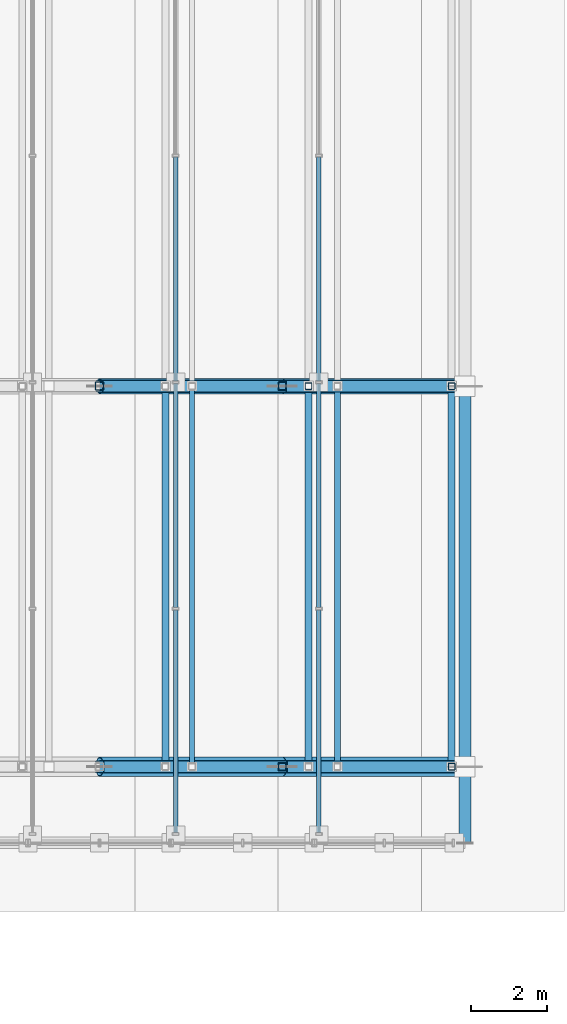
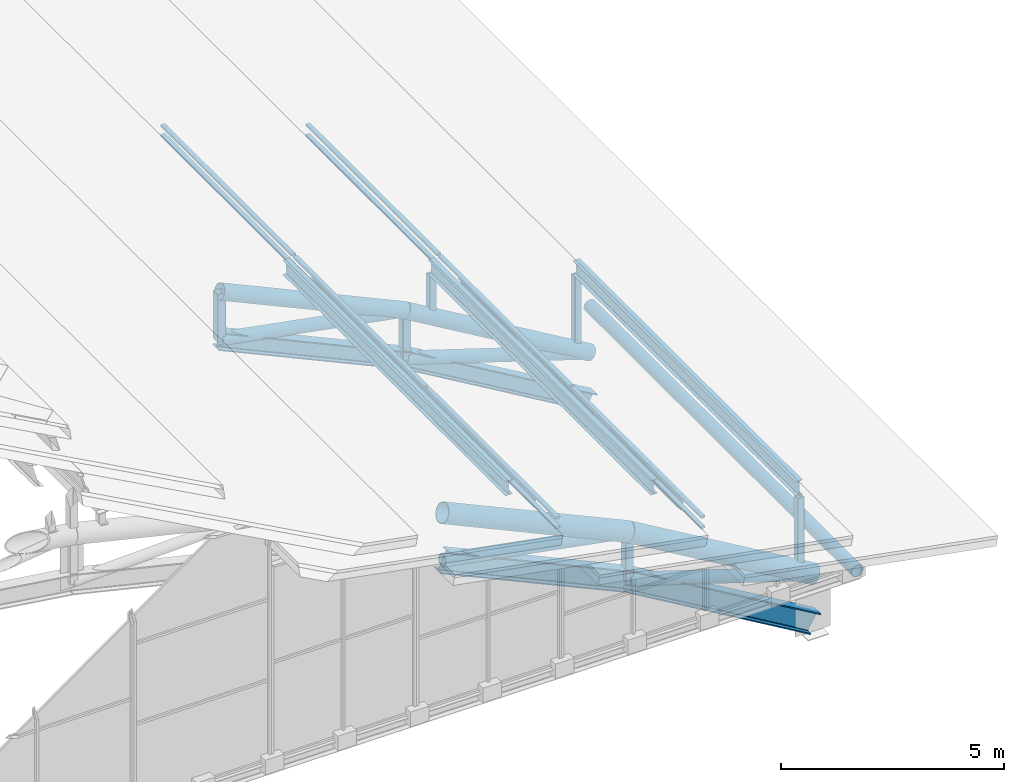
# One storey, part 11 of 117: 35 members, 1 beam, 2 elements without a shape of their own.
"""IFC4 building model written with IfcOpenShell, lengths in metres."""

from ifc_helpers import new_model, si_unit, direction, frame, origin, origin_2d, place, context, subcontext, project, spatial, hollow_rectangle, hollow_circle, i_section, extrude, material, material_profile, profile_set, type_object, element, aggregate, save


model = new_model("IFC4")

# Units and contexts
model_context = context("Model", 3, precision=1e-05, world=origin(), true_north=direction((0.0, 1.0)))
body_context = subcontext(model_context, "Body", "Model", "MODEL_VIEW")
ifc_project = project(units=[si_unit("LENGTHUNIT", "METRE"), si_unit("AREAUNIT", "SQUARE_METRE"), si_unit("VOLUMEUNIT", "CUBIC_METRE"), si_unit("PLANEANGLEUNIT", "RADIAN"), si_unit("MASSUNIT", "GRAM", prefix="KILO")], contexts=[model_context])

# Site, building, storey
site_placement = place(None, origin())
site = spatial("IfcSite", under=ifc_project, at=site_placement, CompositionType="ELEMENT")
building_placement = place(site_placement, origin())
building = spatial("IfcBuilding", under=site, at=building_placement, Name="Merenkruunu Market Hall", CompositionType="ELEMENT")
storey_placement = place(building_placement, frame((0.0, 0.0, 22.800048828125)))
storey = spatial("IfcBuildingStorey", under=building, at=storey_placement, Name="RF", CompositionType="ELEMENT", Elevation=22.800048828125)

# Members
ifc_material_1 = material(Name="Steel S355ML", Category="steel")
ifc_material_profile_1 = material_profile(ifc_material_1, hollow_circle(Radius=0.25390625, WallThickness=0.02001953125, at=origin_2d()), Name="CHS 508x20")
ifc_profile_set_1 = profile_set([ifc_material_profile_1], Name="Steel S355ML")
member_type_1 = type_object("IfcMemberType", Name="Arch Truss Chord TC01", PredefinedType="CHORD", material=ifc_profile_set_1)
member_1_placement = place(storey_placement, frame((48.0, 17.60009765625, -5.12109375), z_axis=(0.909419998666, 0.0, -0.415878907889), x_axis=(0.0, 1.0, 0.0)))
element("IfcMember", 1, at=member_1_placement, inside=storey, type_object=member_type_1, Name="TRUSS-AT-1-TOP-11", PredefinedType="CHORD", context=body_context, shape_type="SweptSolid", body=[
    extrude(hollow_circle(Radius=0.25390625, WallThickness=0.02001953125, at=origin_2d()), origin(), (0.0, 0.0, 1.0), 5.278076171875),
])
member_2_placement = place(storey_placement, frame((52.800048828125, 17.60009765625, -7.316162109375), z_axis=(0.861115679414, 0.0, -0.508409074139), x_axis=(0.0, 1.0, 0.0)))
element("IfcMember", 2, at=member_2_placement, inside=storey, type_object=member_type_1, Name="TRUSS-AT-1-TOP-12", PredefinedType="CHORD", context=body_context, shape_type="SweptSolid", body=[
    extrude(hollow_circle(Radius=0.25390625, WallThickness=0.02001953125, at=origin_2d()), origin(), (0.0, 0.0, 1.0), 5.57421875),
])
ifc_material_profile_2 = material_profile(ifc_material_1, hollow_circle(Radius=0.203125, WallThickness=0.01611328125, at=origin_2d()), Name="CHS 406.4x16")
ifc_profile_set_2 = profile_set([ifc_material_profile_2], Name="Steel S355ML")
member_type_2 = type_object("IfcMemberType", Name="Arch Truss Chord TC02", PredefinedType="CHORD", material=ifc_profile_set_2)
member_3_placement = place(storey_placement, frame((48.0, 27.60009765625, -5.12109375), z_axis=(0.909419998666, 0.0, -0.415878907889), x_axis=(0.0, 1.0, 0.0)))
element("IfcMember", 3, at=member_3_placement, inside=storey, type_object=member_type_2, Name="TRUSS-AT-2-TOP-11", PredefinedType="CHORD", context=body_context, shape_type="SweptSolid", body=[
    extrude(hollow_circle(Radius=0.203125, WallThickness=0.01611328125, at=origin_2d()), origin(), (0.0, 0.0, 1.0), 5.278076171875),
])
member_4_placement = place(storey_placement, frame((52.800048828125, 27.60009765625, -7.316162109375), z_axis=(0.861115679414, 0.0, -0.508409074139), x_axis=(0.0, 1.0, 0.0)))
element("IfcMember", 4, at=member_4_placement, inside=storey, type_object=member_type_2, Name="TRUSS-AT-2-TOP-12", PredefinedType="CHORD", context=body_context, shape_type="SweptSolid", body=[
    extrude(hollow_circle(Radius=0.203125, WallThickness=0.01611328125, at=origin_2d()), origin(), (0.0, 0.0, 1.0), 5.57421875),
])
ifc_material_profile_3 = material_profile(ifc_material_1, i_section(OverallWidth=0.300048828125, OverallDepth=0.550048828125, WebThickness=0.014892578125, FlangeThickness=0.029052734375, FilletRadius=0.027099609375, at=origin_2d()), Name="HEB 550")
ifc_profile_set_3 = profile_set([ifc_material_profile_3], Name="Steel S355ML")
member_type_3 = type_object("IfcMemberType", Name="Arch Truss Chord TC03", PredefinedType="CHORD", material=ifc_profile_set_3)
member_5_placement = place(storey_placement, frame((48.0, 17.60009765625, -6.421142578125), z_axis=(0.909437492245, 0.0, -0.415840651812), x_axis=(0.0, 1.0, 0.0)))
element("IfcMember", 5, at=member_5_placement, inside=storey, type_object=member_type_3, Name="TRUSS-AT-1-BOT-11", PredefinedType="CHORD", context=body_context, shape_type="SweptSolid", body=[
    extrude(i_section(OverallWidth=0.300048828125, OverallDepth=0.550048828125, WebThickness=0.014892578125, FlangeThickness=0.029052734375, FilletRadius=0.027099609375, at=origin_2d()), origin(), (0.0, 0.0, 1.0), 5.278076171875),
])
member_6_placement = place(storey_placement, frame((52.800048828125, 17.60009765625, -8.615966796875), z_axis=(0.861115679414, 0.0, -0.508409074139), x_axis=(0.0, 1.0, 0.0)))
element("IfcMember", 6, at=member_6_placement, inside=storey, type_object=member_type_3, Name="TRUSS-AT-1-BOT-12", PredefinedType="CHORD", context=body_context, shape_type="SweptSolid", body=[
    extrude(i_section(OverallWidth=0.300048828125, OverallDepth=0.550048828125, WebThickness=0.014892578125, FlangeThickness=0.029052734375, FilletRadius=0.027099609375, at=origin_2d()), origin(), (0.0, 0.0, 1.0), 5.57421875),
])
ifc_material_profile_4 = material_profile(ifc_material_1, i_section(OverallWidth=0.300048828125, OverallDepth=0.449951171875, WebThickness=0.013916015625, FlangeThickness=0.02587890625, FilletRadius=0.027099609375, at=origin_2d()), Name="HEB 450")
ifc_profile_set_4 = profile_set([ifc_material_profile_4], Name="Steel S355ML")
member_type_4 = type_object("IfcMemberType", Name="Arch Truss Chord TC04", PredefinedType="CHORD", material=ifc_profile_set_4)
member_7_placement = place(storey_placement, frame((48.0, 27.60009765625, -6.421142578125), z_axis=(0.909437492245, 0.0, -0.415840651812), x_axis=(0.0, 1.0, 0.0)))
element("IfcMember", 7, at=member_7_placement, inside=storey, type_object=member_type_4, Name="TRUSS-AT-2-BOT-11", PredefinedType="CHORD", context=body_context, shape_type="SweptSolid", body=[
    extrude(i_section(OverallWidth=0.300048828125, OverallDepth=0.449951171875, WebThickness=0.013916015625, FlangeThickness=0.02587890625, FilletRadius=0.027099609375, at=origin_2d()), origin(), (0.0, 0.0, 1.0), 5.278076171875),
])
member_8_placement = place(storey_placement, frame((52.800048828125, 27.60009765625, -8.615966796875), z_axis=(0.861115679414, 0.0, -0.508409074139), x_axis=(0.0, 1.0, 0.0)))
element("IfcMember", 8, at=member_8_placement, inside=storey, type_object=member_type_4, Name="TRUSS-AT-2-BOT-12", PredefinedType="CHORD", context=body_context, shape_type="SweptSolid", body=[
    extrude(i_section(OverallWidth=0.300048828125, OverallDepth=0.449951171875, WebThickness=0.013916015625, FlangeThickness=0.02587890625, FilletRadius=0.027099609375, at=origin_2d()), origin(), (0.0, 0.0, 1.0), 5.57421875),
])

# Curtain wall, members
ifc_material_2 = material(Name="Powder-coated aluminium", Category="aluminium")
curtain_wall_type = type_object("IfcCurtainWallType", Name="Clerestory Curtain Band CL05", PredefinedType="USERDEFINED", material=ifc_material_2)
curtain_wall_1_placement = place(storey_placement, origin())
curtain_wall_1 = element("IfcCurtainWall", 9, at=curtain_wall_1_placement, inside=storey, type_object=curtain_wall_type, Name="CW-RF-CWM04-082", ObjectType="CLERESTORY_BAND", PredefinedType="USERDEFINED")
ifc_material_profile_5 = material_profile(ifc_material_2, hollow_rectangle(XDim=0.06005859375, YDim=0.110107421875, WallThickness=0.00390625, at=origin_2d()), Name="ALU 60x110x4")
ifc_profile_set_5 = profile_set([ifc_material_profile_5], Name="Powder-coated aluminium")
member_type_5 = type_object("IfcMemberType", Name="Curtain Wall Transom CWT03", PredefinedType="USERDEFINED", material=ifc_profile_set_5)
member_9_placement = place(storey_placement, frame((53.760009765625, 33.614990234375, -6.491943359375), z_axis=(0.0, -1.0, 0.0), x_axis=(0.0, 0.0, 1.0)))
member_9 = element("IfcMember", 10, at=member_9_placement, type_object=member_type_5, Name="CL05 transom 2.1", ObjectType="TRANSOM", PredefinedType="USERDEFINED", context=body_context, shape_type="SweptSolid", body=[
    extrude(hollow_rectangle(XDim=0.06005859375, YDim=0.110107421875, WallThickness=0.00390625, at=origin_2d()), origin(), (0.0, 0.0, 1.0), 5.8798828125),
])
member_10_placement = place(storey_placement, frame((53.760009765625, 33.614990234375, -6.2041015625), z_axis=(0.0, -1.0, 0.0), x_axis=(0.0, 0.0, 1.0)))
member_10 = element("IfcMember", 11, at=member_10_placement, type_object=member_type_5, Name="CL05 transom 2.2", ObjectType="TRANSOM", PredefinedType="USERDEFINED", context=body_context, shape_type="SweptSolid", body=[
    extrude(hollow_rectangle(XDim=0.06005859375, YDim=0.110107421875, WallThickness=0.00390625, at=origin_2d()), origin(), (0.0, 0.0, 1.0), 5.8798828125),
])
member_11_placement = place(storey_placement, frame((53.760009765625, 27.6650390625, -6.491943359375), z_axis=(0.0, -1.0, 0.0), x_axis=(0.0, 0.0, 1.0)))
member_11 = element("IfcMember", 12, at=member_11_placement, type_object=member_type_5, Name="CL05 transom 3.1", ObjectType="TRANSOM", PredefinedType="USERDEFINED", context=body_context, shape_type="SweptSolid", body=[
    extrude(hollow_rectangle(XDim=0.06005859375, YDim=0.110107421875, WallThickness=0.00390625, at=origin_2d()), origin(), (0.0, 0.0, 1.0), 5.880126953125),
])
member_12_placement = place(storey_placement, frame((53.760009765625, 27.6650390625, -6.2041015625), z_axis=(0.0, -1.0, 0.0), x_axis=(0.0, 0.0, 1.0)))
member_12 = element("IfcMember", 13, at=member_12_placement, type_object=member_type_5, Name="CL05 transom 3.2", ObjectType="TRANSOM", PredefinedType="USERDEFINED", context=body_context, shape_type="SweptSolid", body=[
    extrude(hollow_rectangle(XDim=0.06005859375, YDim=0.110107421875, WallThickness=0.00390625, at=origin_2d()), origin(), (0.0, 0.0, 1.0), 5.880126953125),
])
member_13_placement = place(storey_placement, frame((53.760009765625, 21.715087890625, -6.491943359375), z_axis=(0.0, -1.0, 0.0), x_axis=(0.0, 0.0, 1.0)))
member_13 = element("IfcMember", 14, at=member_13_placement, type_object=member_type_5, Name="CL05 transom 4.1", ObjectType="TRANSOM", PredefinedType="USERDEFINED", context=body_context, shape_type="SweptSolid", body=[
    extrude(hollow_rectangle(XDim=0.06005859375, YDim=0.110107421875, WallThickness=0.00390625, at=origin_2d()), origin(), (0.0, 0.0, 1.0), 5.844970703125),
])
member_14_placement = place(storey_placement, frame((53.760009765625, 21.715087890625, -6.2041015625), z_axis=(0.0, -1.0, 0.0), x_axis=(0.0, 0.0, 1.0)))
member_14 = element("IfcMember", 15, at=member_14_placement, type_object=member_type_5, Name="CL05 transom 4.2", ObjectType="TRANSOM", PredefinedType="USERDEFINED", context=body_context, shape_type="SweptSolid", body=[
    extrude(hollow_rectangle(XDim=0.06005859375, YDim=0.110107421875, WallThickness=0.00390625, at=origin_2d()), origin(), (0.0, 0.0, 1.0), 5.844970703125),
])
aggregate(curtain_wall_1, [member_9, member_10, member_11, member_12, member_13, member_14])

curtain_wall_2_placement = place(storey_placement, origin())
curtain_wall_2 = element("IfcCurtainWall", 16, at=curtain_wall_2_placement, inside=storey, type_object=curtain_wall_type, Name="CW-RF-CWM04-090", ObjectType="CLERESTORY_BAND", PredefinedType="USERDEFINED")
member_15_placement = place(storey_placement, frame((50.0, 33.614990234375, -5.172119140625), z_axis=(0.0, -1.0, 0.0), x_axis=(0.0, 0.0, 1.0)))
member_15 = element("IfcMember", 17, at=member_15_placement, type_object=member_type_5, Name="CL05 transom 2.1", ObjectType="TRANSOM", PredefinedType="USERDEFINED", context=body_context, shape_type="SweptSolid", body=[
    extrude(hollow_rectangle(XDim=0.06005859375, YDim=0.110107421875, WallThickness=0.00390625, at=origin_2d()), origin(), (0.0, 0.0, 1.0), 5.8798828125),
])
member_16_placement = place(storey_placement, frame((50.0, 33.614990234375, -4.905029296875), z_axis=(0.0, -1.0, 0.0), x_axis=(0.0, 0.0, 1.0)))
member_16 = element("IfcMember", 18, at=member_16_placement, type_object=member_type_5, Name="CL05 transom 2.2", ObjectType="TRANSOM", PredefinedType="USERDEFINED", context=body_context, shape_type="SweptSolid", body=[
    extrude(hollow_rectangle(XDim=0.06005859375, YDim=0.110107421875, WallThickness=0.00390625, at=origin_2d()), origin(), (0.0, 0.0, 1.0), 5.8798828125),
])
member_17_placement = place(storey_placement, frame((50.0, 27.6650390625, -5.172119140625), z_axis=(0.0, -1.0, 0.0), x_axis=(0.0, 0.0, 1.0)))
member_17 = element("IfcMember", 19, at=member_17_placement, type_object=member_type_5, Name="CL05 transom 3.1", ObjectType="TRANSOM", PredefinedType="USERDEFINED", context=body_context, shape_type="SweptSolid", body=[
    extrude(hollow_rectangle(XDim=0.06005859375, YDim=0.110107421875, WallThickness=0.00390625, at=origin_2d()), origin(), (0.0, 0.0, 1.0), 5.880126953125),
])
member_18_placement = place(storey_placement, frame((50.0, 27.6650390625, -4.905029296875), z_axis=(0.0, -1.0, 0.0), x_axis=(0.0, 0.0, 1.0)))
member_18 = element("IfcMember", 20, at=member_18_placement, type_object=member_type_5, Name="CL05 transom 3.2", ObjectType="TRANSOM", PredefinedType="USERDEFINED", context=body_context, shape_type="SweptSolid", body=[
    extrude(hollow_rectangle(XDim=0.06005859375, YDim=0.110107421875, WallThickness=0.00390625, at=origin_2d()), origin(), (0.0, 0.0, 1.0), 5.880126953125),
])
member_19_placement = place(storey_placement, frame((50.0, 21.715087890625, -5.172119140625), z_axis=(0.0, -1.0, 0.0), x_axis=(0.0, 0.0, 1.0)))
member_19 = element("IfcMember", 21, at=member_19_placement, type_object=member_type_5, Name="CL05 transom 4.1", ObjectType="TRANSOM", PredefinedType="USERDEFINED", context=body_context, shape_type="SweptSolid", body=[
    extrude(hollow_rectangle(XDim=0.06005859375, YDim=0.110107421875, WallThickness=0.00390625, at=origin_2d()), origin(), (0.0, 0.0, 1.0), 5.844970703125),
])
member_20_placement = place(storey_placement, frame((50.0, 21.715087890625, -4.905029296875), z_axis=(0.0, -1.0, 0.0), x_axis=(0.0, 0.0, 1.0)))
member_20 = element("IfcMember", 22, at=member_20_placement, type_object=member_type_5, Name="CL05 transom 4.2", ObjectType="TRANSOM", PredefinedType="USERDEFINED", context=body_context, shape_type="SweptSolid", body=[
    extrude(hollow_rectangle(XDim=0.06005859375, YDim=0.110107421875, WallThickness=0.00390625, at=origin_2d()), origin(), (0.0, 0.0, 1.0), 5.844970703125),
])
aggregate(curtain_wall_2, [member_15, member_16, member_17, member_18, member_19, member_20])

# Members
ifc_material_profile_6 = material_profile(ifc_material_1, hollow_circle(Radius=0.161865234375, WallThickness=0.01611328125, at=origin_2d()), Name="CHS 323.9x16")
ifc_profile_set_6 = profile_set([ifc_material_profile_6], Name="Steel S355ML")
member_type_6 = type_object("IfcMemberType", Name="Diagonal Sway Brace BR01", PredefinedType="BRACE", material=ifc_profile_set_6)
member_21_placement = place(storey_placement, frame((48.0, 17.60009765625, -6.421142578125), z_axis=(0.983056786802, 0.0, -0.18330126547), x_axis=(0.0, 1.0, 0.0)))
element("IfcMember", 23, at=member_21_placement, inside=storey, type_object=member_type_6, Name="TRUSS-AT-1-DIAG-11", PredefinedType="BRACE", context=body_context, shape_type="SweptSolid", body=[
    extrude(hollow_circle(Radius=0.161865234375, WallThickness=0.01611328125, at=origin_2d()), origin(), (0.0, 0.0, 1.0), 4.8828125),
])
member_22_placement = place(storey_placement, frame((52.800048828125, 17.60009765625, -8.615966796875), z_axis=(0.95252984503, 0.0, -0.304445223853), x_axis=(0.0, 1.0, 0.0)))
element("IfcMember", 24, at=member_22_placement, inside=storey, type_object=member_type_6, Name="TRUSS-AT-1-DIAG-12", PredefinedType="BRACE", context=body_context, shape_type="SweptSolid", body=[
    extrude(hollow_circle(Radius=0.161865234375, WallThickness=0.01611328125, at=origin_2d()), origin(), (0.0, 0.0, 1.0), 5.039306640625),
])
member_23_placement = place(storey_placement, frame((48.0, 27.60009765625, -6.421142578125), z_axis=(0.983056786802, 0.0, -0.18330126547), x_axis=(0.0, 1.0, 0.0)))
element("IfcMember", 25, at=member_23_placement, inside=storey, type_object=member_type_6, Name="TRUSS-AT-2-DIAG-11", PredefinedType="BRACE", context=body_context, shape_type="SweptSolid", body=[
    extrude(hollow_circle(Radius=0.161865234375, WallThickness=0.01611328125, at=origin_2d()), origin(), (0.0, 0.0, 1.0), 4.8828125),
])
member_24_placement = place(storey_placement, frame((52.800048828125, 27.60009765625, -8.615966796875), z_axis=(0.95252984503, 0.0, -0.304445223853), x_axis=(0.0, 1.0, 0.0)))
element("IfcMember", 26, at=member_24_placement, inside=storey, type_object=member_type_6, Name="TRUSS-AT-2-DIAG-12", PredefinedType="BRACE", context=body_context, shape_type="SweptSolid", body=[
    extrude(hollow_circle(Radius=0.161865234375, WallThickness=0.01611328125, at=origin_2d()), origin(), (0.0, 0.0, 1.0), 5.039306640625),
])
ifc_material_3 = material(Name="Steel S355J2", Category="steel")
ifc_material_profile_7 = material_profile(ifc_material_3, hollow_rectangle(XDim=0.219970703125, YDim=0.219970703125, WallThickness=0.012451171875, InnerFilletRadius=0.012451171875, OuterFilletRadius=0.02490234375, at=origin_2d()), Name="SHS 220x220x12.5")
ifc_profile_set_7 = profile_set([ifc_material_profile_7], Name="Steel S355J2")
member_type_7 = type_object("IfcMemberType", Name="Diagonal Sway Brace BR04", PredefinedType="BRACE", material=ifc_profile_set_7)
member_25_placement = place(storey_placement, frame((52.800048828125, 17.60009765625, -8.615966796875), z_axis=(0.0, 0.0, 1.0), x_axis=(1.0, 0.0, 0.0)))
element("IfcMember", 27, at=member_25_placement, inside=storey, type_object=member_type_7, Name="TRUSS-AT-1-POST-11", PredefinedType="BRACE", context=body_context, shape_type="SweptSolid", body=[
    extrude(hollow_rectangle(XDim=0.219970703125, YDim=0.219970703125, WallThickness=0.012451171875, InnerFilletRadius=0.012451171875, OuterFilletRadius=0.02490234375, at=origin_2d()), origin(), (0.0, 0.0, 1.0), 1.2998046875),
])
member_26_placement = place(storey_placement, frame((48.0, 27.60009765625, -6.421142578125), z_axis=(0.0, 0.0, 1.0), x_axis=(1.0, 0.0, 0.0)))
element("IfcMember", 28, at=member_26_placement, inside=storey, type_object=member_type_7, Name="TRUSS-AT-2-POST-10", PredefinedType="BRACE", context=body_context, shape_type="SweptSolid", body=[
    extrude(hollow_rectangle(XDim=0.219970703125, YDim=0.219970703125, WallThickness=0.012451171875, InnerFilletRadius=0.012451171875, OuterFilletRadius=0.02490234375, at=origin_2d()), origin(), (0.0, 0.0, 1.0), 1.300048828125),
])
member_27_placement = place(storey_placement, frame((52.800048828125, 27.60009765625, -8.615966796875), z_axis=(0.0, 0.0, 1.0), x_axis=(1.0, 0.0, 0.0)))
element("IfcMember", 29, at=member_27_placement, inside=storey, type_object=member_type_7, Name="TRUSS-AT-2-POST-11", PredefinedType="BRACE", context=body_context, shape_type="SweptSolid", body=[
    extrude(hollow_rectangle(XDim=0.219970703125, YDim=0.219970703125, WallThickness=0.012451171875, InnerFilletRadius=0.012451171875, OuterFilletRadius=0.02490234375, at=origin_2d()), origin(), (0.0, 0.0, 1.0), 1.2998046875),
])
ifc_material_profile_8 = material_profile(ifc_material_3, hollow_rectangle(XDim=0.179931640625, YDim=0.179931640625, WallThickness=0.010009765625, InnerFilletRadius=0.010009765625, OuterFilletRadius=0.02001953125, at=origin_2d()), Name="SHS 180x180x10")
ifc_profile_set_8 = profile_set([ifc_material_profile_8], Name="Steel S355J2")
member_type_8 = type_object("IfcMemberType", Name="Diagonal Sway Brace BR05", PredefinedType="BRACE", material=ifc_profile_set_8)
member_28_placement = place(storey_placement, frame((57.25, 17.60009765625, -9.700927734375), z_axis=(0.0, 0.0, 1.0), x_axis=(1.0, 0.0, 0.0)))
element("IfcMember", 30, at=member_28_placement, inside=storey, type_object=member_type_8, Name="TRUSS-AT-1-RISER-E1-1", PredefinedType="BRACE", context=body_context, shape_type="SweptSolid", body=[
    extrude(hollow_rectangle(XDim=0.179931640625, YDim=0.179931640625, WallThickness=0.010009765625, InnerFilletRadius=0.010009765625, OuterFilletRadius=0.02001953125, at=origin_2d()), origin(), (0.0, 0.0, 1.0), 1.802490234375),
])
member_29_placement = place(storey_placement, frame((57.25, 27.60009765625, -9.751953125), z_axis=(0.0, 0.0, 1.0), x_axis=(1.0, 0.0, 0.0)))
element("IfcMember", 31, at=member_29_placement, inside=storey, type_object=member_type_8, Name="TRUSS-AT-2-RISER-E1-1", PredefinedType="BRACE", context=body_context, shape_type="SweptSolid", body=[
    extrude(hollow_rectangle(XDim=0.179931640625, YDim=0.179931640625, WallThickness=0.010009765625, InnerFilletRadius=0.010009765625, OuterFilletRadius=0.02001953125, at=origin_2d()), origin(), (0.0, 0.0, 1.0), 1.853515625),
])
member_30_placement = place(storey_placement, frame((53.489990234375, 27.60009765625, -7.53173828125), z_axis=(0.0, 0.0, 1.0), x_axis=(1.0, 0.0, 0.0)))
element("IfcMember", 32, at=member_30_placement, inside=storey, type_object=member_type_8, Name="TRUSS-AT-2-RISER-E2-1", PredefinedType="BRACE", context=body_context, shape_type="SweptSolid", body=[
    extrude(hollow_rectangle(XDim=0.179931640625, YDim=0.179931640625, WallThickness=0.010009765625, InnerFilletRadius=0.010009765625, OuterFilletRadius=0.02001953125, at=origin_2d()), origin(), (0.0, 0.0, 1.0), 0.9736328125),
])

# Beam
ifc_material_profile_9 = material_profile(ifc_material_1, hollow_circle(Radius=0.161865234375, WallThickness=0.01611328125, at=origin_2d()), Name="CHS 323.9x16")
ifc_profile_set_9 = profile_set([ifc_material_profile_9], Name="Steel S355ML")
beam_type = type_object("IfcBeamType", Name="Perimeter Spandrel Beam SP05", PredefinedType="SPANDREL", material=ifc_profile_set_9)
beam_placement = place(storey_placement, frame((57.60009765625, 15.60009765625, -8.862060546875), z_axis=(0.0, 1.0, 0.0), x_axis=(-1.0, 0.0, 0.0)))
element("IfcBeam", 33, at=beam_placement, inside=storey, type_object=beam_type, Name="BM-RF-SP05-1266", PredefinedType="SPANDREL", context=body_context, shape_type="SweptSolid", body=[
    extrude(hollow_circle(Radius=0.161865234375, WallThickness=0.01611328125, at=origin_2d()), origin(), (0.0, 0.0, 1.0), 12.0),
])

# Members
ifc_material_profile_10 = material_profile(ifc_material_1, i_section(OverallWidth=0.14990234375, OverallDepth=0.300048828125, WebThickness=0.007080078125, FlangeThickness=0.0107421875, FilletRadius=0.014892578125, at=origin_2d()), Name="IPE 300")
ifc_profile_set_10 = profile_set([ifc_material_profile_10], Name="Steel S355ML")
member_type_9 = type_object("IfcMemberType", Name="Roof Purlin Rafter PR01", PredefinedType="PURLIN", material=ifc_profile_set_10)
member_31_placement = place(storey_placement, frame((54.25, 17.60009765625, -7.071533203125), z_axis=(0.0, 1.0, 0.0), x_axis=(-1.0, 0.0, 0.0)))
element("IfcMember", 34, at=member_31_placement, inside=storey, type_object=member_type_9, Name="MEM-RF-PURL-E-018", PredefinedType="PURLIN", context=body_context, shape_type="SweptSolid", body=[
    extrude(i_section(OverallWidth=0.14990234375, OverallDepth=0.300048828125, WebThickness=0.007080078125, FlangeThickness=0.0107421875, FilletRadius=0.014892578125, at=origin_2d()), origin(), (0.0, 0.0, 1.0), 10.0),
])
ifc_material_profile_11 = material_profile(ifc_material_1, i_section(OverallWidth=0.1201171875, OverallDepth=0.239990234375, WebThickness=0.006103515625, FlangeThickness=0.009765625, FilletRadius=0.014892578125, at=origin_2d()), Name="IPE 240")
ifc_profile_set_11 = profile_set([ifc_material_profile_11], Name="Steel S355ML")
member_type_10 = type_object("IfcMemberType", Name="Roof Purlin Rafter PR02", PredefinedType="PURLIN", material=ifc_profile_set_11)
member_32_placement = place(storey_placement, frame((50.429931640625, 17.60009765625, -5.687255859375), z_axis=(0.0, 1.0, 0.0), x_axis=(-1.0, 0.0, 0.0)))
element("IfcMember", 35, at=member_32_placement, inside=storey, type_object=member_type_10, Name="MEM-RF-PURL-E-050", PredefinedType="PURLIN", context=body_context, shape_type="SweptSolid", body=[
    extrude(i_section(OverallWidth=0.1201171875, OverallDepth=0.239990234375, WebThickness=0.006103515625, FlangeThickness=0.009765625, FilletRadius=0.014892578125, at=origin_2d()), origin(), (0.0, 0.0, 1.0), 10.0),
])
ifc_material_profile_12 = material_profile(ifc_material_1, i_section(OverallWidth=0.179931640625, OverallDepth=0.39990234375, WebThickness=0.008544921875, FlangeThickness=0.013427734375, FilletRadius=0.02099609375, at=origin_2d()), Name="IPE 400")
ifc_profile_set_12 = profile_set([ifc_material_profile_12], Name="Steel S355ML")
member_type_11 = type_object("IfcMemberType", Name="Roof Purlin Rafter PR09", PredefinedType="PURLIN", material=ifc_profile_set_12)
for number, where, z_axis, x_axis, name in (
    (36, (57.25, 17.60009765625, -7.680419921875), (0.0, 1.0, 0.0), (-1.0, 0.0, 0.0), "MEM-RF-PURL-E-002"),
    (37, (53.489990234375, 17.60009765625, -6.340087890625), (0.0, 1.0, 0.0), (-1.0, 0.0, 0.0), "MEM-RF-PURL-E-034"),
    (38, (49.72998046875, 17.60009765625, -5.040283203125), (0.0, 1.0, 0.0), (-1.0, 0.0, 0.0), "MEM-RF-PURL-E-066"),
):
    element("IfcMember", number, at=place(storey_placement, frame(where, z_axis=z_axis, x_axis=x_axis)), inside=storey, type_object=member_type_11, Name=name, PredefinedType="PURLIN", context=body_context, shape_type="SweptSolid", body=[
        extrude(i_section(OverallWidth=0.179931640625, OverallDepth=0.39990234375, WebThickness=0.008544921875, FlangeThickness=0.013427734375, FilletRadius=0.02099609375, at=origin_2d()), origin(), (0.0, 0.0, 1.0), 10.0),
    ])

save(model, "model.ifc")
